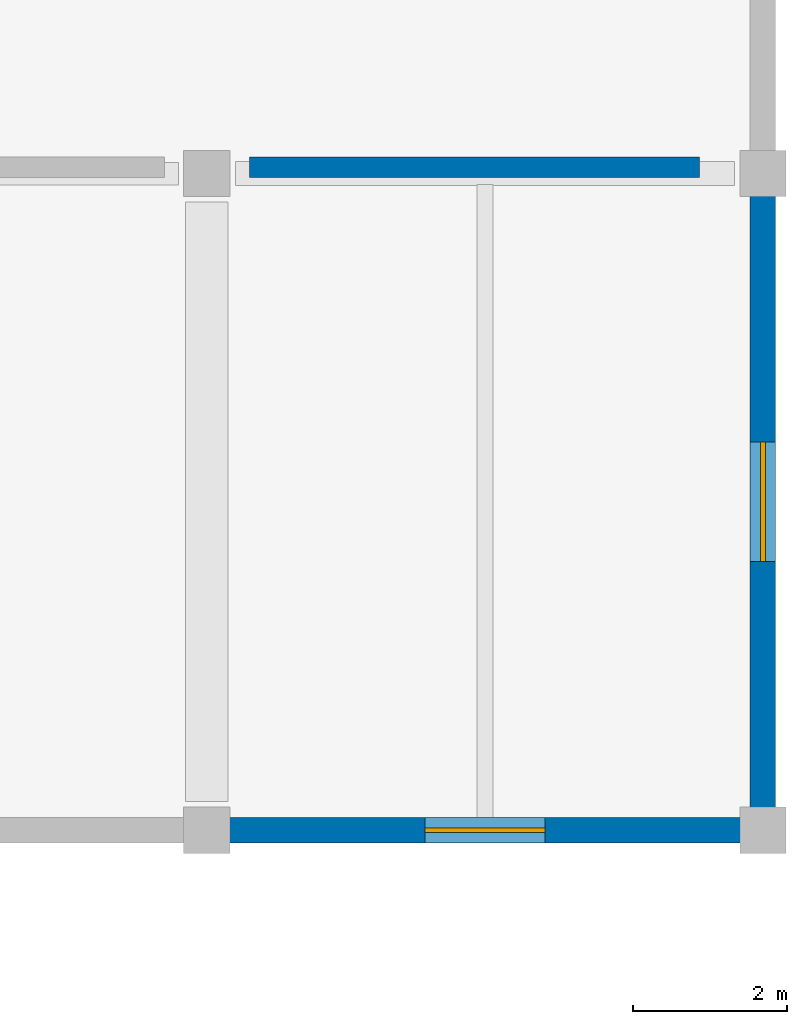
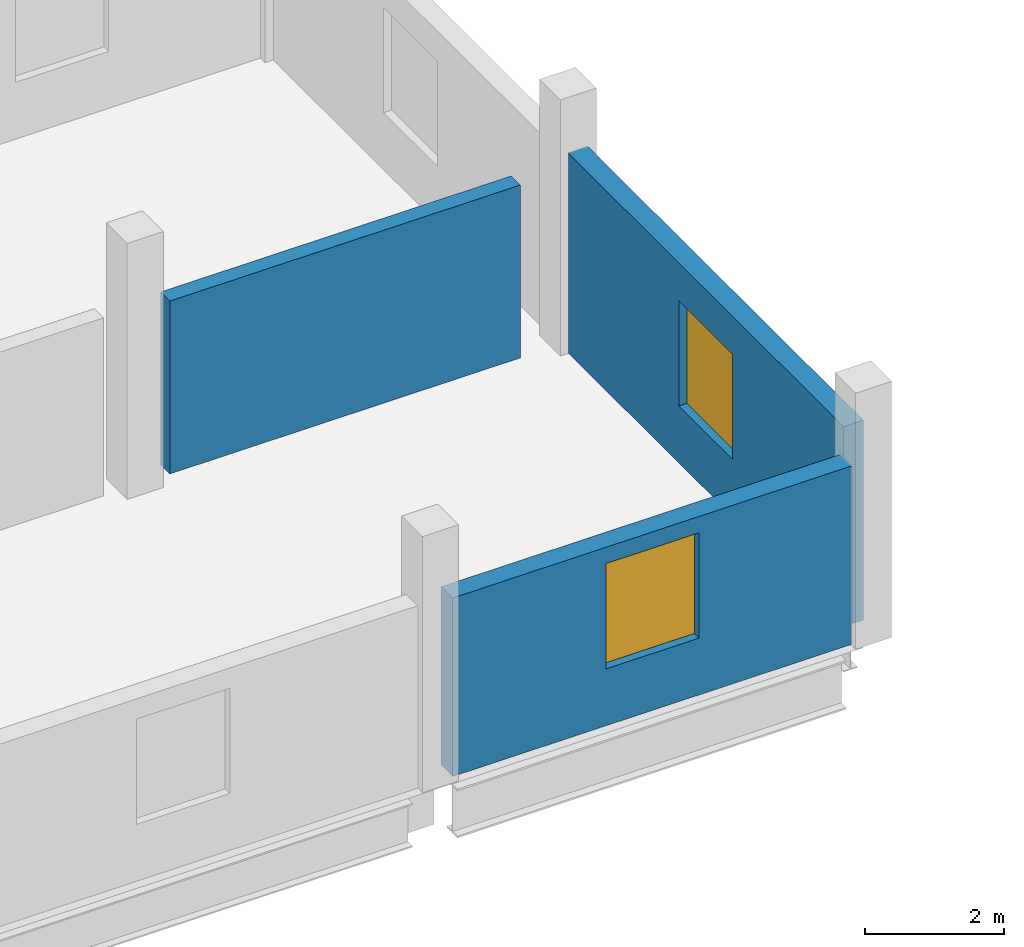
# One storey, part 41 of 50: 3 walls, 2 windows, 2 openings.
"""IFC4 building model written with IfcOpenShell, lengths in metres."""

import ifcopenshell
import ifcopenshell.guid

model = None  # the IFC model being written
_history = None  # IfcOwnerHistory: only IFC2X3 demands one
_inside = {}  # id of a spatial element -> (the spatial element, [elements in it])
_under = {}  # id of a project, library or spatial element -> (it, [spatial elements below it])
_declared = {}  # id of a project -> (the project, [libraries it declares])
_typed = {}  # id of a type object -> (the type object, [elements of that type])
_made_of = {}  # id of a material, layer set ... -> (it, [elements and type objects made of it])


def new_model(schema):
    """Start an empty IFC model of exactly this schema.

    Asked for "IFC4X3", IfcOpenShell would pick the latest addendum, in which some entities
    have other attributes; the version numbers below select the first issue.
    IFC2X3 requires an IfcOwnerHistory on every rooted entity: one is made here for all.
    """
    global model, _history
    if schema == "IFC4X3":
        model = ifcopenshell.file(schema_version=(4, 3, 0, 0))
    else:
        model = ifcopenshell.file(schema=schema)
    _inside.clear()
    _under.clear()
    _declared.clear()
    _typed.clear()
    _made_of.clear()
    _history = None
    if model.schema == "IFC2X3":
        org = make("IfcOrganization", Name="unknown")
        user = make(
            "IfcPersonAndOrganization",
            ThePerson=make("IfcPerson", FamilyName="unknown"),
            TheOrganization=org,
        )
        app = make(
            "IfcApplication",
            ApplicationDeveloper=org,
            Version="unknown",
            ApplicationFullName="unknown",
            ApplicationIdentifier="unknown",
        )
        _history = make(
            "IfcOwnerHistory",
            OwningUser=user,
            OwningApplication=app,
            ChangeAction="ADDED",
            CreationDate=0,
        )
    return model


def make(cls, **values):
    """One entity of the class cls with the attributes given. An attribute that is None is left unset."""
    return model.create_entity(
        cls, **{name: value for name, value in values.items() if value is not None}
    )


def rooted(cls, **values):
    """An entity with a GlobalId (a new one), such as an element, a storey or a relation."""
    return make(cls, GlobalId=ifcopenshell.guid.new(), OwnerHistory=_history, **values)


def si_unit(unit_type, name, prefix=None):
    """IfcSIUnit, for example si_unit("LENGTHUNIT", "METRE", prefix="MILLI")."""
    return make("IfcSIUnit", UnitType=unit_type, Prefix=prefix, Name=name)


def assignment(units):
    """IfcUnitAssignment: the units of a project."""
    return None if units is None else make("IfcUnitAssignment", Units=units)


def point(xyz):
    """IfcCartesianPoint."""
    return None if xyz is None else make("IfcCartesianPoint", Coordinates=xyz)


def direction(xyz):
    """IfcDirection."""
    return None if xyz is None else make("IfcDirection", DirectionRatios=xyz)


def frame(location, z_axis=None, x_axis=None):
    """IfcAxis2Placement3D, a coordinate frame: its origin and axes. An axis left out is left unset."""
    return make(
        "IfcAxis2Placement3D",
        Location=point(location),
        Axis=direction(z_axis),
        RefDirection=direction(x_axis),
    )


def frame_2d(location, x_axis=None):
    """IfcAxis2Placement2D, a coordinate frame in the plane: its origin and x axis."""
    return make(
        "IfcAxis2Placement2D", Location=point(location), RefDirection=direction(x_axis)
    )


def origin():
    """The frame at (0, 0, 0) with its axes left unset."""
    return frame((0.0, 0.0, 0.0))


def place(relative_to, where):
    """IfcLocalPlacement: puts the frame where relative to a parent placement (None: the world)."""
    return make(
        "IfcLocalPlacement", PlacementRelTo=relative_to, RelativePlacement=where
    )


def context(
    kind, dimensions, precision=None, world=None, true_north=None, identifier=None
):
    """IfcGeometricRepresentationContext, for example the 3D "Model" context."""
    return make(
        "IfcGeometricRepresentationContext",
        ContextIdentifier=identifier,
        ContextType=kind,
        CoordinateSpaceDimension=dimensions,
        Precision=precision,
        WorldCoordinateSystem=world,
        TrueNorth=true_north,
    )


def subcontext(parent, identifier, kind, view, scale=None):
    """IfcGeometricRepresentationSubContext, for example "Body" below "Model"."""
    return make(
        "IfcGeometricRepresentationSubContext",
        ContextIdentifier=identifier,
        ContextType=kind,
        ParentContext=parent,
        TargetScale=scale,
        TargetView=view,
    )


def project(units=None, contexts=None):
    """IfcProject with its units and contexts."""
    return rooted(
        "IfcProject",
        Name="project",
        RepresentationContexts=contexts,
        UnitsInContext=assignment(units),
    )


def spatial(cls, under=None, at=None, **own):
    """A site, building, storey or space (cls), placed at a placement, below another one or the project."""
    s = rooted(cls, ObjectPlacement=at, **own)
    if under is not None:
        _under.setdefault(under.id(), (under, []))[1].append(s)
    return s


def profile(cls, at=None, kind="AREA", **sizes):
    """A parametric profile (cls). Its sizes go by their IFC names, for example OverallWidth=200.0."""
    return make(cls, ProfileType=kind, Position=at, **sizes)


def rectangle(**sizes):
    """IfcRectangleProfileDef."""
    return profile("IfcRectangleProfileDef", **sizes)


def extrude(swept, where, along, depth):
    """IfcExtrudedAreaSolid: the profile swept, set in the frame where, extruded along a direction by depth."""
    return make(
        "IfcExtrudedAreaSolid",
        SweptArea=swept,
        Position=where,
        ExtrudedDirection=direction(along),
        Depth=depth,
    )


def shape(context_of_items, identifier, shape_type, items):
    """IfcShapeRepresentation: the items that make up one representation, for example the "Body"."""
    return make(
        "IfcShapeRepresentation",
        ContextOfItems=context_of_items,
        RepresentationIdentifier=identifier,
        RepresentationType=shape_type,
        Items=items,
    )


def material(Name=None, Category=None):
    """IfcMaterial."""
    return make("IfcMaterial", Name=Name, Category=Category)


def layer(
    of_material, thickness, ventilated=None, Name=None, Category=None, Priority=None
):
    """IfcMaterialLayer: one layer of a wall or slab, of a material (None: an air gap)."""
    return make(
        "IfcMaterialLayer",
        Material=of_material,
        LayerThickness=thickness,
        IsVentilated=ventilated,
        Name=Name,
        Category=Category,
        Priority=Priority,
    )


def layer_set(layers, Name=None):
    """IfcMaterialLayerSet."""
    return make("IfcMaterialLayerSet", MaterialLayers=layers, LayerSetName=Name)


def made_of(thing, what):
    """Note that an element or type object is made of a material, layer set ...; save() writes the relation."""
    if what is not None:
        _made_of.setdefault(what.id(), (what, []))[1].append(thing)
    return thing


def type_object(cls, material=None, **own):
    """A type object (cls), such as IfcWallType, which elements share."""
    return made_of(rooted(cls, **own), material)


def element(
    cls,
    number,
    at=None,
    inside=None,
    cuts=None,
    type_object=None,
    material=None,
    context=None,
    identifier="Body",
    shape_type=None,
    held_by="IfcProductDefinitionShape",
    body=None,
    shapes=None,
    **own,
):
    """One element of the class cls, such as IfcWall. Its Tag is "e" and its number.

    at: its placement. inside: the storey or other place that contains it. cuts: it is an
    opening in that element (IfcRelVoidsElement). A single representation is given by context,
    identifier, shape_type and body (its items); several are given by shapes. held_by: the class
    of the entity that holds the representations. save() writes the other relations.
    """
    e = rooted(cls, Tag="e%d" % number, ObjectPlacement=at, **own)
    if body is not None:
        shapes = [shape(context, identifier, shape_type, body)]
    if shapes is not None:
        e.Representation = make(held_by, Representations=shapes)
    if inside is not None:
        _inside.setdefault(inside.id(), (inside, []))[1].append(e)
    if cuts is not None:
        rooted(
            "IfcRelVoidsElement", RelatingBuildingElement=cuts, RelatedOpeningElement=e
        )
    if type_object is not None:
        _typed.setdefault(type_object.id(), (type_object, []))[1].append(e)
    return made_of(e, material)


def fill(opening, filler):
    """IfcRelFillsElement: the door or window that sits in an opening."""
    return rooted(
        "IfcRelFillsElement",
        RelatingOpeningElement=opening,
        RelatedBuildingElement=filler,
    )


def aggregate(whole, parts):
    """IfcRelAggregates: a whole, such as a stair, and the parts it consists of."""
    return rooted("IfcRelAggregates", RelatingObject=whole, RelatedObjects=parts)


def save(model, path):
    """Write the relations noted so far, then the file.

    IfcRelAggregates (storeys below a building ...), IfcRelContainedInSpatialStructure (elements
    in a storey), IfcRelDefinesByType, IfcRelAssociatesMaterial and IfcRelDeclares: one each for
    every whole, place, type object, material and project.
    """
    for whole, parts in _under.values():
        aggregate(whole, parts)
    for where, things in _inside.values():
        rooted(
            "IfcRelContainedInSpatialStructure",
            RelatedElements=things,
            RelatingStructure=where,
        )
    for kind, things in _typed.values():
        rooted("IfcRelDefinesByType", RelatedObjects=things, RelatingType=kind)
    for what, things in _made_of.values():
        rooted("IfcRelAssociatesMaterial", RelatedObjects=things, RelatingMaterial=what)
    for by, libraries in _declared.values():
        rooted("IfcRelDeclares", RelatingContext=by, RelatedDefinitions=libraries)
    model.write(path)


model = new_model("IFC4")

# Units and contexts
model_context = context("Model", 3, precision=1e-05, world=origin(), true_north=direction((0.0, 1.0)))
body_context = subcontext(model_context, "Body", "Model", "MODEL_VIEW")
ifc_project = project(units=[si_unit("LENGTHUNIT", "METRE"), si_unit("AREAUNIT", "SQUARE_METRE"), si_unit("VOLUMEUNIT", "CUBIC_METRE"), si_unit("PLANEANGLEUNIT", "RADIAN"), si_unit("MASSUNIT", "GRAM", prefix="KILO")], contexts=[model_context])

# Site, building, storey
site_placement = place(None, origin())
site = spatial("IfcSite", under=ifc_project, at=site_placement, CompositionType="ELEMENT")
building_placement = place(site_placement, origin())
building = spatial("IfcBuilding", under=site, at=building_placement, Name="Solvento Point Concert Hall", CompositionType="ELEMENT")
storey_placement = place(building_placement, frame((0.0, 0.0, 15.0)))
storey = spatial("IfcBuildingStorey", under=building, at=storey_placement, Name="L03", CompositionType="ELEMENT", Elevation=15.0)

# Wall
ifc_material_1 = material(Name="Acoustic Double-Stud Gypsum Partition")
ifc_layer_1 = layer(ifc_material_1, 0.264892578125)
ifc_layer_set_1 = layer_set([ifc_layer_1], Name="Acoustic Double-Stud Gypsum Partition")
wall_type_1 = type_object("IfcWallType", Name="AcousticPartition_265", PredefinedType="PARTITIONING", material=ifc_layer_set_1)
wall_1_placement = place(storey_placement, frame((209.35009765625, 127.580078125, 0.0), z_axis=(0.0, 0.0, 1.0), x_axis=(1.0, 0.0, 0.0)))
element("IfcWall", 1, at=wall_1_placement, inside=storey, type_object=wall_type_1, Name="Interior acoustic partition PW-68 L03", PredefinedType="PARTITIONING", context=body_context, shape_type="SweptSolid", body=[
    extrude(rectangle(XDim=5.829833984375, YDim=0.264892578125, at=frame_2d((2.9150390625, 0.0))), origin(), (0.0, 0.0, 1.0), 3.0380859375),
])

# Wall, opening, window
ifc_material_2 = material(Name="Concrete C35/45", Category="concrete")
ifc_layer_2 = layer(ifc_material_2, 0.330078125)
ifc_layer_set_2 = layer_set([ifc_layer_2], Name="Concrete C35/45")
wall_type_2 = type_object("IfcWallType", Name="ExtWall_V5_Plinth_330", PredefinedType="SOLIDWALL", material=ifc_layer_set_2)
wall_2_placement = place(storey_placement, frame((216.0, 127.219970703125, 0.0), z_axis=(0.0, 0.0, 1.0), x_axis=(0.0, -1.0, 0.0)))
wall_2 = element("IfcWall", 2, at=wall_2_placement, inside=storey, type_object=wall_type_2, Name="Exterior architectural concrete wall EW-72 L03", PredefinedType="SOLIDWALL", context=body_context, shape_type="SweptSolid", body=[
    extrude(rectangle(XDim=7.93994140625, YDim=0.330078125, at=frame_2d((3.969970703125, 0.0))), origin(), (0.0, 0.0, 1.0), 3.514892578125),
])
opening_1_placement = place(wall_2_placement, frame((3.195068359375, 0.0, 1.0)))
opening_1 = element("IfcOpeningElement", 3, at=opening_1_placement, cuts=wall_2, Name="Opening WN-94", PredefinedType="OPENING", context=body_context, shape_type="SweptSolid", body=[
    extrude(rectangle(XDim=1.550048828125, YDim=1.85009765625, at=frame_2d((0.77490234375, 0.925048828125))), frame((0.0, 0.175048828125, 0.0), z_axis=(0.0, -1.0, 0.0), x_axis=(1.0, 0.0, 0.0)), (0.0, 0.0, 1.0), 0.35009765625),
])
ifc_material_3 = material(Name="Hurricane Laminated Low-E Glass", Category="glass")
window_type = type_object("IfcWindowType", Name="Win_V5_PostProd_L03", PartitioningType="SINGLE_PANEL", PredefinedType="WINDOW", material=ifc_material_3)
window_1_placement = place(opening_1_placement, origin())
window_1 = element("IfcWindow", 4, at=window_1_placement, inside=storey, type_object=window_type, Name="Impact acoustic window WN-94", OverallHeight=1.85009765625, OverallWidth=1.550048828125, PartitioningType="SINGLE_PANEL", PredefinedType="WINDOW", context=body_context, shape_type="SweptSolid", body=[
    extrude(rectangle(XDim=1.550048828125, YDim=1.85009765625, at=frame_2d((0.77490234375, 0.925048828125))), frame((0.0, 0.030029296875, 0.0), z_axis=(0.0, -1.0, 0.0), x_axis=(1.0, 0.0, 0.0)), (0.0, 0.0, 1.0), 0.06005859375),
])
fill(opening_1, window_1)

wall_3_placement = place(storey_placement, frame((215.719970703125, 119.0, 0.0), z_axis=(0.0, 0.0, 1.0), x_axis=(-1.0, 0.0, 0.0)))
wall_3 = element("IfcWall", 5, at=wall_3_placement, inside=storey, type_object=wall_type_2, Name="Exterior architectural concrete wall EW-72 L03", PredefinedType="SOLIDWALL", context=body_context, shape_type="SweptSolid", body=[
    extrude(rectangle(XDim=6.639892578125, YDim=0.330078125, at=frame_2d((3.31982421875, 0.0))), origin(), (0.0, 0.0, 1.0), 3.136962890625),
])
opening_2_placement = place(wall_3_placement, frame((2.544921875, 0.0, 1.0)))
opening_2 = element("IfcOpeningElement", 6, at=opening_2_placement, cuts=wall_3, Name="Opening WN-94", PredefinedType="OPENING", context=body_context, shape_type="SweptSolid", body=[
    extrude(rectangle(XDim=1.550048828125, YDim=1.85009765625, at=frame_2d((0.77490234375, 0.925048828125))), frame((0.0, 0.175048828125, 0.0), z_axis=(0.0, -1.0, 0.0), x_axis=(1.0, 0.0, 0.0)), (0.0, 0.0, 1.0), 0.35009765625),
])
window_2_placement = place(opening_2_placement, origin())
window_2 = element("IfcWindow", 7, at=window_2_placement, inside=storey, type_object=window_type, Name="Impact acoustic window WN-94", OverallHeight=1.85009765625, OverallWidth=1.550048828125, PartitioningType="SINGLE_PANEL", PredefinedType="WINDOW", context=body_context, shape_type="SweptSolid", body=[
    extrude(rectangle(XDim=1.550048828125, YDim=1.85009765625, at=frame_2d((0.77490234375, 0.925048828125))), frame((0.0, 0.030029296875, 0.0), z_axis=(0.0, -1.0, 0.0), x_axis=(1.0, 0.0, 0.0)), (0.0, 0.0, 1.0), 0.06005859375),
])
fill(opening_2, window_2)

save(model, "model.ifc")
